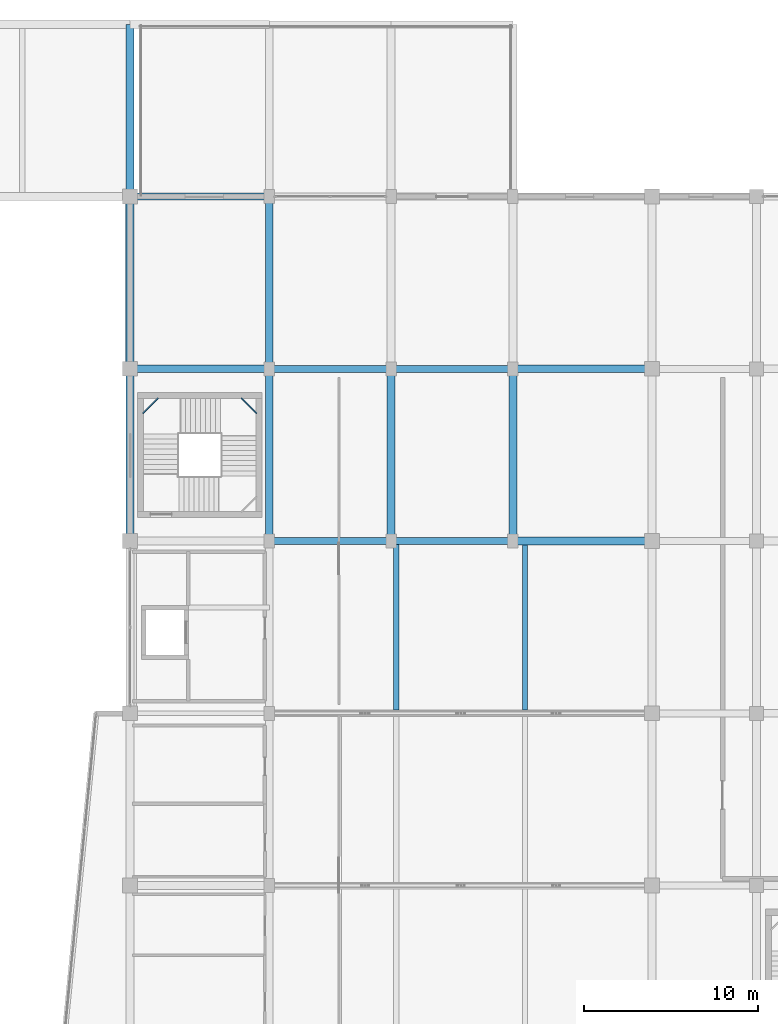
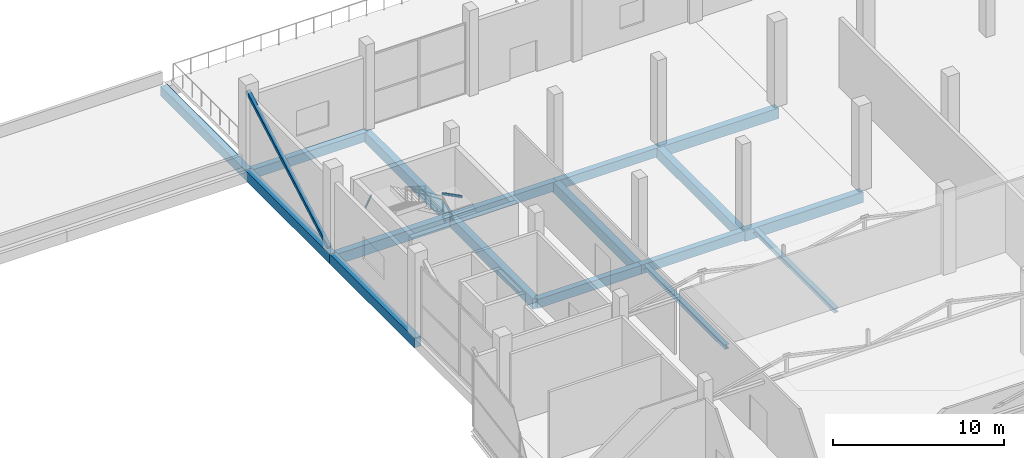
# One storey, part 26 of 58: 19 beams, 1 member.
"""IFC4 building model written with IfcOpenShell, lengths in metres."""

from ifc_helpers import new_model, si_unit, direction, frame, origin, origin_2d, place, context, subcontext, project, spatial, rectangle, hollow_rectangle, i_section, extrude, material, material_profile, profile_set, type_object, element, save


model = new_model("IFC4")

# Units and contexts
model_context = context("Model", 3, precision=1e-05, world=origin(), true_north=direction((0.0, 1.0)))
body_context = subcontext(model_context, "Body", "Model", "MODEL_VIEW")
ifc_project = project(units=[si_unit("LENGTHUNIT", "METRE"), si_unit("AREAUNIT", "SQUARE_METRE"), si_unit("VOLUMEUNIT", "CUBIC_METRE"), si_unit("PLANEANGLEUNIT", "RADIAN"), si_unit("MASSUNIT", "GRAM", prefix="KILO")], contexts=[model_context])

# Site, building, storey
site_placement = place(None, origin())
site = spatial("IfcSite", under=ifc_project, at=site_placement, CompositionType="ELEMENT")
building_placement = place(site_placement, origin())
building = spatial("IfcBuilding", under=site, at=building_placement, Name="Sillaruma Civic Art Gallery", CompositionType="ELEMENT")
storey_placement = place(building_placement, frame((0.0, 0.0, 22.43994140625)))
storey = spatial("IfcBuildingStorey", under=building, at=storey_placement, Name="L04", CompositionType="ELEMENT", Elevation=22.43994140625)

# Beams
ifc_material_1 = material(Name="Concrete H35 (35 MPa)", Category="concrete")
ifc_material_profile_1 = material_profile(ifc_material_1, rectangle(XDim=0.39990234375, YDim=0.64990234375, at=origin_2d()), Name="RCB400x650")
ifc_profile_set_1 = profile_set([ifc_material_profile_1], Name="Concrete H35 (35 MPa)")
beam_type_1 = type_object("IfcBeamType", Name="BM-BEAM-RCB400x650", PredefinedType="BEAM", material=ifc_profile_set_1)
for number, where, z_axis, x_axis, name in (
    (1, (70.0, 79.199951171875, -0.5849609375), (1.0, 0.0, 0.0), (0.0, 1.0, 0.0), "Beam BM-05 (L03:9:G-H)"),
    (2, (77.0, 79.199951171875, -0.5849609375), (1.0, 0.0, 0.0), (0.0, 1.0, 0.0), "Beam BM-05 (L03:9:H-J)"),
    (3, (70.0, 89.10009765625, -0.5849609375), (1.0, 0.0, 0.0), (0.0, 1.0, 0.0), "Beam BM-05 (L03:10:G-H)"),
    (4, (77.0, 89.10009765625, -0.5849609375), (1.0, 0.0, 0.0), (0.0, 1.0, 0.0), "Beam BM-05 (L03:10:H-J)"),
):
    element("IfcBeam", number, at=place(storey_placement, frame(where, z_axis=z_axis, x_axis=x_axis)), inside=storey, type_object=beam_type_1, Name=name, PredefinedType="BEAM", context=body_context, shape_type="SweptSolid", body=[
        extrude(rectangle(XDim=0.39990234375, YDim=0.64990234375, at=origin_2d()), origin(), (0.0, 0.0, 1.0), 7.0),
    ])
ifc_material_2 = material(Name="Concrete H40 (40 MPa)", Category="concrete")
ifc_material_profile_2 = material_profile(ifc_material_2, rectangle(XDim=0.449951171875, YDim=0.75, at=origin_2d()), Name="RCB450x750")
ifc_profile_set_2 = profile_set([ifc_material_profile_2], Name="Concrete H40 (40 MPa)")
beam_type_2 = type_object("IfcBeamType", Name="BM-BEAM-RCB450x750", PredefinedType="BEAM", material=ifc_profile_set_2)
for number, where, z_axis, x_axis, name in (
    (5, (84.0, 79.199951171875, -0.635009765625), (1.0, 0.0, 0.0), (0.0, 1.0, 0.0), "Beam BM-03 (L03:9:J-K)"),
    (6, (62.0, 89.10009765625, -0.635009765625), (1.0, 0.0, 0.0), (0.0, 1.0, 0.0), "Beam BM-03 (L03:10:F-G)"),
    (7, (84.0, 89.10009765625, -0.635009765625), (1.0, 0.0, 0.0), (0.0, 1.0, 0.0), "Beam BM-03 (L03:10:J-K)"),
):
    element("IfcBeam", number, at=place(storey_placement, frame(where, z_axis=z_axis, x_axis=x_axis)), inside=storey, type_object=beam_type_2, Name=name, PredefinedType="BEAM", context=body_context, shape_type="SweptSolid", body=[
        extrude(rectangle(XDim=0.449951171875, YDim=0.75, at=origin_2d()), origin(), (0.0, 0.0, 1.0), 8.0),
    ])
beam_1_placement = place(storey_placement, frame((70.0, 79.199951171875, -0.635009765625), z_axis=(0.0, 1.0, 0.0), x_axis=(-1.0, 0.0, 0.0)))
element("IfcBeam", 8, at=beam_1_placement, inside=storey, type_object=beam_type_2, Name="Beam BM-03 (L03:G:9-10)", PredefinedType="BEAM", context=body_context, shape_type="SweptSolid", body=[
    extrude(rectangle(XDim=0.449951171875, YDim=0.75, at=origin_2d()), origin(), (0.0, 0.0, 1.0), 9.900146484375),
])
beam_2_placement = place(storey_placement, frame((70.0, 89.10009765625, -0.635009765625), z_axis=(0.0, 1.0, 0.0), x_axis=(-1.0, 0.0, 0.0)))
element("IfcBeam", 9, at=beam_2_placement, inside=storey, type_object=beam_type_2, Name="Beam BM-03 (L03:G:10-11)", PredefinedType="BEAM", context=body_context, shape_type="SweptSolid", body=[
    extrude(rectangle(XDim=0.449951171875, YDim=0.75, at=origin_2d()), origin(), (0.0, 0.0, 1.0), 9.89990234375),
])
for number, where, z_axis, x_axis, name in (
    (10, (77.0, 79.199951171875, -0.635009765625), (0.0, 1.0, 0.0), (-1.0, 0.0, 0.0), "Beam BM-03 (L03:H:9-10)"),
    (11, (84.0, 79.199951171875, -0.635009765625), (0.0, 1.0, 0.0), (-1.0, 0.0, 0.0), "Beam BM-03 (L03:J:9-10)"),
):
    element("IfcBeam", number, at=place(storey_placement, frame(where, z_axis=z_axis, x_axis=x_axis)), inside=storey, type_object=beam_type_2, Name=name, PredefinedType="BEAM", context=body_context, shape_type="SweptSolid", body=[
        extrude(rectangle(XDim=0.449951171875, YDim=0.75, at=origin_2d()), origin(), (0.0, 0.0, 1.0), 9.900146484375),
    ])
ifc_material_3 = material(Name="Structural Steel ASTM A992 Gr.50", Category="steel")
ifc_material_profile_3 = material_profile(ifc_material_3, i_section(OverallWidth=0.305908203125, OverallDepth=0.31103515625, WebThickness=0.010986328125, FlangeThickness=0.01708984375, FilletRadius=0.014892578125, at=origin_2d()), Name="W310x107")
ifc_profile_set_3 = profile_set([ifc_material_profile_3], Name="Structural Steel ASTM A992 Gr.50")
beam_type_3 = type_object("IfcBeamType", Name="BM-JOIST-W310x107", PredefinedType="JOIST", material=ifc_profile_set_3)
beam_3_placement = place(storey_placement, frame((77.300048828125, 69.487060546875, -0.41552734375), z_axis=(0.0, 1.0, 0.0), x_axis=(-1.0, 0.0, 0.0)))
element("IfcBeam", 12, at=beam_3_placement, inside=storey, type_object=beam_type_3, Name="Long-Span Gallery Joist JS-03 (L03:8-9)", PredefinedType="JOIST", context=body_context, shape_type="SweptSolid", body=[
    extrude(i_section(OverallWidth=0.305908203125, OverallDepth=0.31103515625, WebThickness=0.010986328125, FlangeThickness=0.01708984375, FilletRadius=0.014892578125, at=origin_2d()), origin(), (0.0, 0.0, 1.0), 9.512939453125),
])
beam_4_placement = place(storey_placement, frame((84.699951171875, 69.487060546875, -0.41552734375), z_axis=(0.0, 1.0, 0.0), x_axis=(-1.0, 0.0, 0.0)))
element("IfcBeam", 13, at=beam_4_placement, inside=storey, type_object=beam_type_3, Name="Long-Span Gallery Joist JS-03 (L03:8-9)", PredefinedType="JOIST", context=body_context, shape_type="SweptSolid", body=[
    extrude(i_section(OverallWidth=0.305908203125, OverallDepth=0.31103515625, WebThickness=0.010986328125, FlangeThickness=0.01708984375, FilletRadius=0.014892578125, at=origin_2d()), origin(), (0.0, 0.0, 1.0), 9.488037109375),
])
ifc_material_4 = material(Name="Structural Steel ASTM A500 Gr.C", Category="steel")
ifc_material_profile_4 = material_profile(ifc_material_4, hollow_rectangle(XDim=0.080078125, YDim=0.159912109375, WallThickness=0.008056640625, InnerFilletRadius=0.008056640625, OuterFilletRadius=0.01611328125, at=origin_2d()), Name="HSS160x80x8")
ifc_profile_set_4 = profile_set([ifc_material_profile_4], Name="Structural Steel ASTM A500 Gr.C")
beam_type_4 = type_object("IfcBeamType", Name="BM-LND-HSS160", PredefinedType="BEAM", material=ifc_profile_set_4)
for number, where, z_axis, x_axis, name in (
    (14, (68.389892578125, 87.429931640625, 2.780029296875), (0.707203758046, -0.707009791025, 0.0), (0.707009791025, 0.707203758046, 0.0), "Stair Corner Landing Trimmer Beam (ST-02-L04-2)"),
    (15, (62.719970703125, 86.5400390625, 4.31005859375), (0.707203758046, 0.707009791025, 0.0), (-0.707009791025, 0.707203758046, 0.0), "Stair Corner Landing Trimmer Beam (ST-02-L04-3)"),
):
    element("IfcBeam", number, at=place(storey_placement, frame(where, z_axis=z_axis, x_axis=x_axis)), inside=storey, type_object=beam_type_4, Name=name, PredefinedType="BEAM", context=body_context, shape_type="SweptSolid", body=[
        extrude(hollow_rectangle(XDim=0.080078125, YDim=0.159912109375, WallThickness=0.008056640625, InnerFilletRadius=0.008056640625, OuterFilletRadius=0.01611328125, at=origin_2d()), origin(), (0.0, 0.0, 1.0), 1.2587890625),
    ])
ifc_material_profile_5 = material_profile(ifc_material_1, rectangle(XDim=0.39990234375, YDim=0.64990234375, at=origin_2d()), Name="RCB400x650")
ifc_profile_set_5 = profile_set([ifc_material_profile_5], Name="Concrete H35 (35 MPa)")
beam_type_5 = type_object("IfcBeamType", Name="BM-SPANDREL-RCB400x650", PredefinedType="SPANDREL", material=ifc_profile_set_5)
beam_5_placement = place(storey_placement, frame((62.0, 99.0, -0.5849609375), z_axis=(1.0, 0.0, 0.0), x_axis=(0.0, 1.0, 0.0)))
element("IfcBeam", 16, at=beam_5_placement, inside=storey, type_object=beam_type_5, Name="Beam BS-02 (L03:11:F-G)", PredefinedType="SPANDREL", context=body_context, shape_type="SweptSolid", body=[
    extrude(rectangle(XDim=0.39990234375, YDim=0.64990234375, at=origin_2d()), origin(), (0.0, 0.0, 1.0), 8.0),
])
ifc_material_profile_6 = material_profile(ifc_material_1, rectangle(XDim=0.449951171875, YDim=0.699951171875, at=origin_2d()), Name="RCB450x700")
ifc_profile_set_6 = profile_set([ifc_material_profile_6], Name="Concrete H35 (35 MPa)")
beam_type_6 = type_object("IfcBeamType", Name="BM-SPANDREL-RCB450x700", PredefinedType="SPANDREL", material=ifc_profile_set_6)
beam_6_placement = place(storey_placement, frame((62.0, 79.199951171875, -0.60986328125), z_axis=(0.0, 1.0, 0.0), x_axis=(-1.0, 0.0, 0.0)))
element("IfcBeam", 17, at=beam_6_placement, inside=storey, type_object=beam_type_6, Name="Beam BS-03 (L03:F:9-10)", PredefinedType="SPANDREL", context=body_context, shape_type="SweptSolid", body=[
    extrude(rectangle(XDim=0.449951171875, YDim=0.699951171875, at=origin_2d()), origin(), (0.0, 0.0, 1.0), 9.900146484375),
])
for number, where, z_axis, x_axis, name in (
    (18, (62.0, 89.10009765625, -0.60986328125), (0.0, 1.0, 0.0), (-1.0, 0.0, 0.0), "Beam BS-03 (L03:F:10-11)"),
    (19, (62.0, 99.0, -0.60986328125), (0.0, 1.0, 0.0), (-1.0, 0.0, 0.0), "Beam BS-03 (L03:F:11-12)"),
):
    element("IfcBeam", number, at=place(storey_placement, frame(where, z_axis=z_axis, x_axis=x_axis)), inside=storey, type_object=beam_type_6, Name=name, PredefinedType="SPANDREL", context=body_context, shape_type="SweptSolid", body=[
        extrude(rectangle(XDim=0.449951171875, YDim=0.699951171875, at=origin_2d()), origin(), (0.0, 0.0, 1.0), 9.89990234375),
    ])

# Member
ifc_material_profile_7 = material_profile(ifc_material_4, hollow_rectangle(XDim=0.25, YDim=0.25, WallThickness=0.012451171875, InnerFilletRadius=0.012451171875, OuterFilletRadius=0.02490234375, at=origin_2d()), Name="HSS250x250x12.5")
ifc_profile_set_7 = profile_set([ifc_material_profile_7], Name="Structural Steel ASTM A500 Gr.C")
member_type = type_object("IfcMemberType", Name="MEM-MEGA-BRACE", PredefinedType="BRACE", material=ifc_profile_set_7)
member_placement = place(storey_placement, frame((61.85009765625, 89.280029296875, 0.10009765625), z_axis=(0.0, 0.87065287391, 0.491897929607), x_axis=(-1.0, 0.0, 0.0)))
element("IfcMember", 20, at=member_placement, inside=storey, type_object=member_type, Name="Exterior Expressed Gallery Seismic Diagonal Brace (L04-WN)", PredefinedType="BRACE", context=body_context, shape_type="SweptSolid", body=[
    extrude(hollow_rectangle(XDim=0.25, YDim=0.25, WallThickness=0.012451171875, InnerFilletRadius=0.012451171875, OuterFilletRadius=0.02490234375, at=origin_2d()), origin(), (0.0, 0.0, 1.0), 10.957275390625),
])

save(model, "model.ifc")
